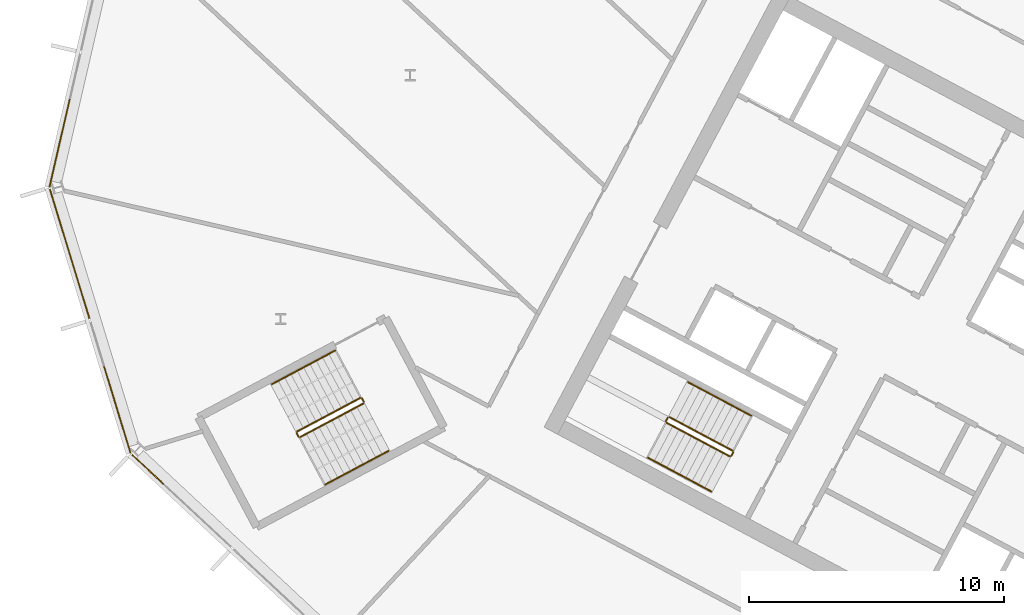
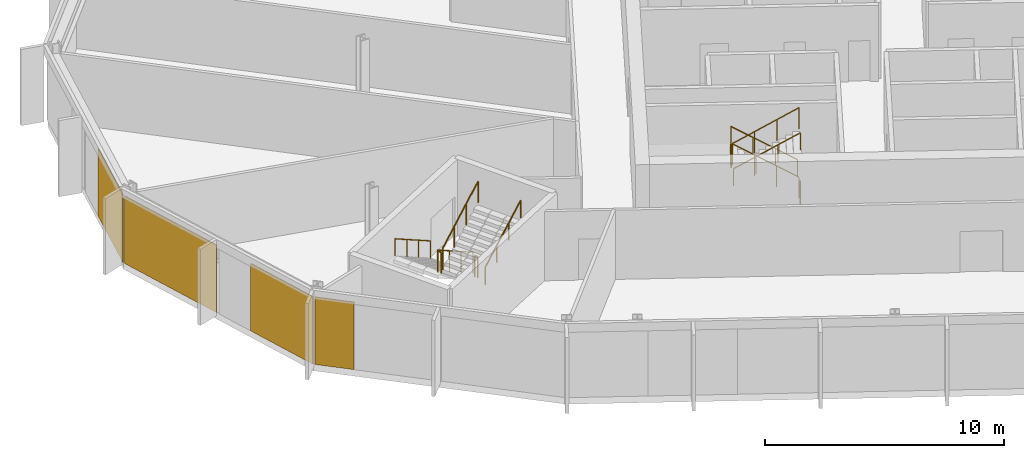
# One storey, part 20 of 26: 12 railings, 4 coverings, 3 elements without a shape of their own.
"""IFC4 building model written with IfcOpenShell, lengths in metres."""

from ifc_helpers import new_model, si_unit, direction, frame, origin, origin_2d, place, context, subcontext, project, spatial, polyline, rectangle, outline, extrude, material, layer, layer_set, type_object, element, aggregate, save


model = new_model("IFC4")

# Units and contexts
model_context = context("Model", 3, precision=1e-05, world=origin(), true_north=direction((0.0, 1.0)))
body_context = subcontext(model_context, "Body", "Model", "MODEL_VIEW")
ifc_project = project(units=[si_unit("LENGTHUNIT", "METRE"), si_unit("AREAUNIT", "SQUARE_METRE"), si_unit("VOLUMEUNIT", "CUBIC_METRE"), si_unit("PLANEANGLEUNIT", "RADIAN"), si_unit("MASSUNIT", "GRAM", prefix="KILO")], contexts=[model_context])

# Site, building, storey
site_placement = place(None, origin())
site = spatial("IfcSite", under=ifc_project, at=site_placement, CompositionType="ELEMENT")
building_placement = place(site_placement, origin())
building = spatial("IfcBuilding", under=site, at=building_placement, Name="Cormorant Relay Tower", CompositionType="ELEMENT")
storey_placement = place(building_placement, frame((0.0, 0.0, 193.5)))
storey = spatial("IfcBuildingStorey", under=building, at=storey_placement, Name="L41", CompositionType="ELEMENT", Elevation=193.5)

# Curtain wall, covering
ifc_material_1 = material(Name="Aluminium 6063-T6 anodised bronze", Category="aluminium")
ifc_layer_1 = layer(ifc_material_1, 0.199951171875)
ifc_layer_set_1 = layer_set([ifc_layer_1], Name="CW1 unitised bronze curtain wall with vertical fins")
curtain_wall_type = type_object("IfcCurtainWallType", Name="CW1 unitised bronze curtain wall with vertical fins", PredefinedType="NOTDEFINED", material=ifc_layer_set_1)
curtain_wall_1_placement = place(storey_placement, origin())
curtain_wall_1 = element("IfcCurtainWall", 1, at=curtain_wall_1_placement, inside=storey, type_object=curtain_wall_type, Name="CW1 curtain wall 13", PredefinedType="NOTDEFINED")
ifc_material_2 = material(Name="Pale bronze anodised aluminium insulated panel", Category="aluminium")
ifc_layer_2 = layer(ifc_material_2, 0.0400390625)
ifc_layer_set_2 = layer_set([ifc_layer_2], Name="CW1 pale bronze insulated panel 40")
covering_type = type_object("IfcCoveringType", Name="CW1 pale bronze insulated panel 40", PredefinedType="CLADDING", material=ifc_layer_set_2)
covering_1_placement = place(storey_placement, frame((-60.3388671875, 22.13232421875, 0.0), z_axis=(0.0, 0.0, 1.0), x_axis=(-0.224951054344, -0.974370064785, 0.0)))
covering_1 = element("IfcCovering", 2, at=covering_1_placement, type_object=covering_type, Name="CW1 panel S03", PredefinedType="CLADDING", context=body_context, shape_type="SweptSolid", body=[
    extrude(rectangle(XDim=3.560302734375, YDim=0.0400390625, at=origin_2d()), origin(), (0.0, 0.0, 1.0), 3.449951171875),
])
aggregate(curtain_wall_1, [covering_1])

# Curtain wall, coverings
curtain_wall_2_placement = place(storey_placement, origin())
curtain_wall_2 = element("IfcCurtainWall", 3, at=curtain_wall_2_placement, inside=storey, type_object=curtain_wall_type, Name="CW1 curtain wall 14", PredefinedType="NOTDEFINED")
covering_2_placement = place(storey_placement, frame((-59.9443359375, 17.78857421875, 0.0), z_axis=(0.0, 0.0, 1.0), x_axis=(0.292371704723, -0.956304755963, 0.0)))
covering_2 = element("IfcCovering", 4, at=covering_2_placement, type_object=covering_type, Name="CW1 panel S00", PredefinedType="CLADDING", context=body_context, shape_type="SweptSolid", body=[
    extrude(rectangle(XDim=5.28515625, YDim=0.0400390625, at=origin_2d()), origin(), (0.0, 0.0, 1.0), 3.449951171875),
])
covering_3_placement = place(storey_placement, frame((-58.081298828125, 11.6943359375, 0.0), z_axis=(0.0, 0.0, 1.0), x_axis=(0.292371704723, -0.956304755963, 0.0)))
covering_3 = element("IfcCovering", 5, at=covering_3_placement, type_object=covering_type, Name="CW1 panel S02", PredefinedType="CLADDING", context=body_context, shape_type="SweptSolid", body=[
    extrude(rectangle(XDim=3.560302734375, YDim=0.0400390625, at=origin_2d()), origin(), (0.0, 0.0, 1.0), 3.449951171875),
])
aggregate(curtain_wall_2, [covering_2, covering_3])

# Curtain wall, covering
curtain_wall_3_placement = place(storey_placement, origin())
curtain_wall_3 = element("IfcCurtainWall", 6, at=curtain_wall_3_placement, inside=storey, type_object=curtain_wall_type, Name="CW1 curtain wall 15", PredefinedType="NOTDEFINED")
covering_4_placement = place(storey_placement, frame((-56.88427734375, 9.357421875, 0.0), z_axis=(0.0, 0.0, 1.0), x_axis=(0.731353701619, -0.681998360062, 0.0)))
covering_4 = element("IfcCovering", 7, at=covering_4_placement, type_object=covering_type, Name="CW1 panel S00", PredefinedType="CLADDING", context=body_context, shape_type="SweptSolid", body=[
    extrude(rectangle(XDim=1.685302734375, YDim=0.0400390625, at=origin_2d()), origin(), (0.0, 0.0, 1.0), 3.449951171875),
])
aggregate(curtain_wall_3, [covering_4])

# Railings
ifc_material_3 = material(Name="Steel ASTM A572 Grade 50 (Fy 345 MPa)", Category="steel")
railing_type_1 = type_object("IfcRailingType", Name="Stair guard 1100", PredefinedType="GUARDRAIL", material=ifc_material_3)
railing_1_placement = place(storey_placement, frame((-33.9921875, 10.08935546875, 0.17724609375)))
element("IfcRailing", 8, at=railing_1_placement, inside=storey, type_object=railing_type_1, Name="L41 A2 stair guard 1", PredefinedType="GUARDRAIL", context=body_context, shape_type="SweptSolid", body=[
    extrude(outline(polyline([(0.022216796875, 0.00927734375), (0.00927734375, 0.022216796875), (-0.00927734375, 0.022216796875), (-0.022216796875, 0.00927734375), (-0.022216796875, -0.00927734375), (-0.00927734375, -0.022216796875), (0.00927734375, -0.022216796875), (0.022216796875, -0.00927734375), (0.022216796875, 0.00927734375)])), frame((0.0, 0.0, 1.076171875), z_axis=(-0.746001213114, 0.396649272309, 0.534931345884), x_axis=(-0.469465464807, -0.882950835185, 0.0)), (0.0, 0.0, 1.0), 3.31396484375),
    extrude(outline(polyline([(0.019287109375, 0.008056640625), (0.008056640625, 0.019287109375), (-0.008056640625, 0.019287109375), (-0.019287109375, 0.008056640625), (-0.019287109375, -0.008056640625), (-0.008056640625, -0.019287109375), (0.008056640625, -0.019287109375), (0.019287109375, -0.008056640625), (0.019287109375, 0.008056640625)])), origin(), (0.0, 0.0, 1.0), 1.052001953125),
    extrude(outline(polyline([(0.019287109375, 0.008056640625), (0.008056640625, 0.019287109375), (-0.008056640625, 0.019287109375), (-0.019287109375, 0.008056640625), (-0.019287109375, -0.008056640625), (-0.008056640625, -0.019287109375), (0.008056640625, -0.019287109375), (0.019287109375, -0.008056640625), (0.019287109375, 0.008056640625)])), frame((-0.823974609375, 0.438232421875, 0.5908203125)), (0.0, 0.0, 1.0), 1.052001953125),
    extrude(outline(polyline([(0.019287109375, 0.008056640625), (0.008056640625, 0.019287109375), (-0.008056640625, 0.019287109375), (-0.019287109375, 0.008056640625), (-0.019287109375, -0.008056640625), (-0.008056640625, -0.019287109375), (0.008056640625, -0.019287109375), (0.019287109375, -0.008056640625), (0.019287109375, 0.008056640625)])), frame((-1.648193359375, 0.876220703125, 1.181884765625)), (0.0, 0.0, 1.0), 1.052001953125),
    extrude(outline(polyline([(0.019287109375, 0.008056640625), (0.008056640625, 0.019287109375), (-0.008056640625, 0.019287109375), (-0.019287109375, 0.008056640625), (-0.019287109375, -0.008056640625), (-0.008056640625, -0.019287109375), (0.008056640625, -0.019287109375), (0.019287109375, -0.008056640625), (0.019287109375, 0.008056640625)])), frame((-2.47216796875, 1.314453125, 1.772705078125)), (0.0, 0.0, 1.0), 1.052001953125),
])
railing_2_placement = place(storey_placement, frame((-36.531982421875, 11.38330078125, 1.949951171875)))
element("IfcRailing", 9, at=railing_2_placement, inside=storey, type_object=railing_type_1, Name="L41 A2 stair guard 2", PredefinedType="GUARDRAIL", context=body_context, shape_type="SweptSolid", body=[
    extrude(outline(polyline([(0.022216796875, 0.00927734375), (0.00927734375, 0.022216796875), (-0.00927734375, 0.022216796875), (-0.022216796875, 0.00927734375), (-0.022216796875, -0.00927734375), (-0.00927734375, -0.022216796875), (0.00927734375, -0.022216796875), (0.022216796875, -0.00927734375), (0.022216796875, 0.00927734375)])), frame((0.0, 0.0, 1.076171875), z_axis=(-0.469828648786, -0.882757634224, 0.0), x_axis=(0.882757634224, -0.469828648786, 0.0)), (0.0, 0.0, 1.0), 0.150146484375),
    extrude(outline(polyline([(0.019287109375, 0.008056640625), (0.008056640625, 0.019287109375), (-0.008056640625, 0.019287109375), (-0.019287109375, 0.008056640625), (-0.019287109375, -0.008056640625), (-0.008056640625, -0.019287109375), (0.008056640625, -0.019287109375), (0.019287109375, -0.008056640625), (0.019287109375, 0.008056640625)])), origin(), (0.0, 0.0, 1.0), 1.052001953125),
    extrude(outline(polyline([(0.019287109375, 0.008056640625), (0.008056640625, 0.019287109375), (-0.008056640625, 0.019287109375), (-0.019287109375, 0.008056640625), (-0.019287109375, -0.008056640625), (-0.008056640625, -0.019287109375), (0.008056640625, -0.019287109375), (0.019287109375, -0.008056640625), (0.019287109375, 0.008056640625)])), frame((-0.070556640625, -0.132568359375, 0.0)), (0.0, 0.0, 1.0), 1.052001953125),
])
railing_3_placement = place(storey_placement, frame((-36.581787109375, 11.18310546875, 2.127197265625)))
element("IfcRailing", 10, at=railing_3_placement, inside=storey, type_object=railing_type_1, Name="L41 A2 stair guard 3", PredefinedType="GUARDRAIL", context=body_context, shape_type="SweptSolid", body=[
    extrude(outline(polyline([(0.022216796875, 0.00927734375), (0.00927734375, 0.022216796875), (-0.00927734375, 0.022216796875), (-0.022216796875, 0.00927734375), (-0.022216796875, -0.00927734375), (-0.00927734375, -0.022216796875), (0.00927734375, -0.022216796875), (0.022216796875, -0.00927734375), (0.022216796875, 0.00927734375)])), frame((0.0, 0.0, 1.076171875), z_axis=(0.746001213114, -0.396649272309, 0.534931345884), x_axis=(0.469465464807, 0.882950835185, 0.0)), (0.0, 0.0, 1.0), 3.31396484375),
    extrude(outline(polyline([(0.019287109375, 0.008056640625), (0.008056640625, 0.019287109375), (-0.008056640625, 0.019287109375), (-0.019287109375, 0.008056640625), (-0.019287109375, -0.008056640625), (-0.008056640625, -0.019287109375), (0.008056640625, -0.019287109375), (0.019287109375, -0.008056640625), (0.019287109375, 0.008056640625)])), origin(), (0.0, 0.0, 1.0), 1.052001953125),
    extrude(outline(polyline([(0.019287109375, 0.008056640625), (0.008056640625, 0.019287109375), (-0.008056640625, 0.019287109375), (-0.019287109375, 0.008056640625), (-0.019287109375, -0.008056640625), (-0.008056640625, -0.019287109375), (0.008056640625, -0.019287109375), (0.019287109375, -0.008056640625), (0.019287109375, 0.008056640625)])), frame((0.823974609375, -0.438232421875, 0.5908203125)), (0.0, 0.0, 1.0), 1.052001953125),
    extrude(outline(polyline([(0.019287109375, 0.008056640625), (0.008056640625, 0.019287109375), (-0.008056640625, 0.019287109375), (-0.019287109375, 0.008056640625), (-0.019287109375, -0.008056640625), (-0.008056640625, -0.019287109375), (0.008056640625, -0.019287109375), (0.019287109375, -0.008056640625), (0.019287109375, 0.008056640625)])), frame((1.648193359375, -0.876220703125, 1.181884765625)), (0.0, 0.0, 1.0), 1.052001953125),
    extrude(outline(polyline([(0.019287109375, 0.008056640625), (0.008056640625, 0.019287109375), (-0.008056640625, 0.019287109375), (-0.019287109375, 0.008056640625), (-0.019287109375, -0.008056640625), (-0.008056640625, -0.019287109375), (0.008056640625, -0.019287109375), (0.019287109375, -0.008056640625), (0.019287109375, 0.008056640625)])), frame((2.47216796875, -1.314453125, 1.772705078125)), (0.0, 0.0, 1.0), 1.052001953125),
])
railing_4_placement = place(storey_placement, frame((-33.971435546875, 10.021728515625, 0.0)))
element("IfcRailing", 11, at=railing_4_placement, inside=storey, type_object=railing_type_1, Name="L41 A2 stair guard 4", PredefinedType="GUARDRAIL", context=body_context, shape_type="SweptSolid", body=[
    extrude(outline(polyline([(0.022216796875, 0.00927734375), (0.00927734375, 0.022216796875), (-0.00927734375, 0.022216796875), (-0.022216796875, 0.00927734375), (-0.022216796875, -0.00927734375), (-0.00927734375, -0.022216796875), (0.00927734375, -0.022216796875), (0.022216796875, -0.00927734375), (0.022216796875, 0.00927734375)])), frame((0.0, 0.0, 1.076171875), z_axis=(-0.470503732759, -0.882398003998, 0.0), x_axis=(0.882398003998, -0.470503732759, 0.0)), (0.0, 0.0, 1.0), 0.14990234375),
    extrude(outline(polyline([(0.019287109375, 0.008056640625), (0.008056640625, 0.019287109375), (-0.008056640625, 0.019287109375), (-0.019287109375, 0.008056640625), (-0.019287109375, -0.008056640625), (-0.008056640625, -0.019287109375), (0.008056640625, -0.019287109375), (0.019287109375, -0.008056640625), (0.019287109375, 0.008056640625)])), origin(), (0.0, 0.0, 1.0), 1.052001953125),
    extrude(outline(polyline([(0.019287109375, 0.008056640625), (0.008056640625, 0.019287109375), (-0.008056640625, 0.019287109375), (-0.019287109375, 0.008056640625), (-0.019287109375, -0.008056640625), (-0.008056640625, -0.019287109375), (0.008056640625, -0.019287109375), (0.019287109375, -0.008056640625), (0.019287109375, 0.008056640625)])), frame((-0.070556640625, -0.13232421875, 0.0)), (0.0, 0.0, 1.0), 1.052001953125),
])
railing_5_placement = place(storey_placement, frame((-48.5693359375, 12.155517578125, 0.17724609375)))
element("IfcRailing", 12, at=railing_5_placement, inside=storey, type_object=railing_type_1, Name="L41 RP1 stair guard 1", PredefinedType="GUARDRAIL", context=body_context, shape_type="SweptSolid", body=[
    extrude(outline(polyline([(0.022216796875, 0.00927734375), (0.00927734375, 0.022216796875), (-0.00927734375, 0.022216796875), (-0.022216796875, 0.00927734375), (-0.022216796875, -0.00927734375), (-0.00927734375, -0.022216796875), (0.00927734375, -0.022216796875), (0.022216796875, -0.00927734375), (0.022216796875, 0.00927734375)])), frame((0.0, 0.0, 1.076171875), z_axis=(-0.746012083385, -0.396689549623, 0.534886317514), x_axis=(0.469497295046, -0.882933910293, 0.0)), (0.0, 0.0, 1.0), 3.314208984375),
    extrude(outline(polyline([(0.019287109375, 0.008056640625), (0.008056640625, 0.019287109375), (-0.008056640625, 0.019287109375), (-0.019287109375, 0.008056640625), (-0.019287109375, -0.008056640625), (-0.008056640625, -0.019287109375), (0.008056640625, -0.019287109375), (0.019287109375, -0.008056640625), (0.019287109375, 0.008056640625)])), origin(), (0.0, 0.0, 1.0), 1.052001953125),
    extrude(outline(polyline([(0.019287109375, 0.008056640625), (0.008056640625, 0.019287109375), (-0.008056640625, 0.019287109375), (-0.019287109375, 0.008056640625), (-0.019287109375, -0.008056640625), (-0.008056640625, -0.019287109375), (0.008056640625, -0.019287109375), (0.019287109375, -0.008056640625), (0.019287109375, 0.008056640625)])), frame((-0.82421875, -0.438232421875, 0.5908203125)), (0.0, 0.0, 1.0), 1.052001953125),
    extrude(outline(polyline([(0.019287109375, 0.008056640625), (0.008056640625, 0.019287109375), (-0.008056640625, 0.019287109375), (-0.019287109375, 0.008056640625), (-0.019287109375, -0.008056640625), (-0.008056640625, -0.019287109375), (0.008056640625, -0.019287109375), (0.019287109375, -0.008056640625), (0.019287109375, 0.008056640625)])), frame((-1.648193359375, -0.87646484375, 1.181884765625)), (0.0, 0.0, 1.0), 1.052001953125),
    extrude(outline(polyline([(0.019287109375, 0.008056640625), (0.008056640625, 0.019287109375), (-0.008056640625, 0.019287109375), (-0.019287109375, 0.008056640625), (-0.019287109375, -0.008056640625), (-0.008056640625, -0.019287109375), (0.008056640625, -0.019287109375), (0.019287109375, -0.008056640625), (0.019287109375, 0.008056640625)])), frame((-2.472412109375, -1.314697265625, 1.772705078125)), (0.0, 0.0, 1.0), 1.052001953125),
])
railing_6_placement = place(storey_placement, frame((-51.062255859375, 10.773193359375, 1.949951171875)))
element("IfcRailing", 13, at=railing_6_placement, inside=storey, type_object=railing_type_1, Name="L41 RP1 stair guard 2", PredefinedType="GUARDRAIL", context=body_context, shape_type="SweptSolid", body=[
    extrude(outline(polyline([(0.022216796875, 0.00927734375), (0.00927734375, 0.022216796875), (-0.00927734375, 0.022216796875), (-0.022216796875, 0.00927734375), (-0.022216796875, -0.00927734375), (-0.00927734375, -0.022216796875), (0.00927734375, -0.022216796875), (0.022216796875, -0.00927734375), (0.022216796875, 0.00927734375)])), frame((0.0, 0.0, 1.076171875), z_axis=(0.469234640946, -0.883073525669, 0.0), x_axis=(0.883073525669, 0.469234640946, 0.0)), (0.0, 0.0, 1.0), 0.14990234375),
    extrude(outline(polyline([(0.019287109375, 0.008056640625), (0.008056640625, 0.019287109375), (-0.008056640625, 0.019287109375), (-0.019287109375, 0.008056640625), (-0.019287109375, -0.008056640625), (-0.008056640625, -0.019287109375), (0.008056640625, -0.019287109375), (0.019287109375, -0.008056640625), (0.019287109375, 0.008056640625)])), origin(), (0.0, 0.0, 1.0), 1.052001953125),
    extrude(outline(polyline([(0.019287109375, 0.008056640625), (0.008056640625, 0.019287109375), (-0.008056640625, 0.019287109375), (-0.019287109375, 0.008056640625), (-0.019287109375, -0.008056640625), (-0.008056640625, -0.019287109375), (0.008056640625, -0.019287109375), (0.019287109375, -0.008056640625), (0.019287109375, 0.008056640625)])), frame((0.0703125, -0.13232421875, 0.0)), (0.0, 0.0, 1.0), 1.052001953125),
])
railing_7_placement = place(storey_placement, frame((-50.92431640625, 10.6201171875, 2.127197265625)))
element("IfcRailing", 14, at=railing_7_placement, inside=storey, type_object=railing_type_1, Name="L41 RP1 stair guard 3", PredefinedType="GUARDRAIL", context=body_context, shape_type="SweptSolid", body=[
    extrude(outline(polyline([(0.022216796875, 0.00927734375), (0.00927734375, 0.022216796875), (-0.00927734375, 0.022216796875), (-0.022216796875, 0.00927734375), (-0.022216796875, -0.00927734375), (-0.00927734375, -0.022216796875), (0.00927734375, -0.022216796875), (0.022216796875, -0.00927734375), (0.022216796875, 0.00927734375)])), frame((0.0, 0.0, 1.076171875), z_axis=(0.746033882577, 0.396627473466, 0.534901947407), x_axis=(-0.469429322983, 0.882970050864, 0.0)), (0.0, 0.0, 1.0), 3.31396484375),
    extrude(outline(polyline([(0.019287109375, 0.008056640625), (0.008056640625, 0.019287109375), (-0.008056640625, 0.019287109375), (-0.019287109375, 0.008056640625), (-0.019287109375, -0.008056640625), (-0.008056640625, -0.019287109375), (0.008056640625, -0.019287109375), (0.019287109375, -0.008056640625), (0.019287109375, 0.008056640625)])), origin(), (0.0, 0.0, 1.0), 1.052001953125),
    extrude(outline(polyline([(0.019287109375, 0.008056640625), (0.008056640625, 0.019287109375), (-0.008056640625, 0.019287109375), (-0.019287109375, 0.008056640625), (-0.019287109375, -0.008056640625), (-0.008056640625, -0.019287109375), (0.008056640625, -0.019287109375), (0.019287109375, -0.008056640625), (0.019287109375, 0.008056640625)])), frame((0.82421875, 0.438232421875, 0.5908203125)), (0.0, 0.0, 1.0), 1.052001953125),
    extrude(outline(polyline([(0.019287109375, 0.008056640625), (0.008056640625, 0.019287109375), (-0.008056640625, 0.019287109375), (-0.019287109375, 0.008056640625), (-0.019287109375, -0.008056640625), (-0.008056640625, -0.019287109375), (0.008056640625, -0.019287109375), (0.019287109375, -0.008056640625), (0.019287109375, 0.008056640625)])), frame((1.648193359375, 0.876220703125, 1.181884765625)), (0.0, 0.0, 1.0), 1.052001953125),
    extrude(outline(polyline([(0.019287109375, 0.008056640625), (0.008056640625, 0.019287109375), (-0.008056640625, 0.019287109375), (-0.019287109375, 0.008056640625), (-0.019287109375, -0.008056640625), (-0.008056640625, -0.019287109375), (0.008056640625, -0.019287109375), (0.019287109375, -0.008056640625), (0.019287109375, 0.008056640625)])), frame((2.472412109375, 1.314453125, 1.772705078125)), (0.0, 0.0, 1.0), 1.052001953125),
])
railing_8_placement = place(storey_placement, frame((-48.501708984375, 12.134765625, 0.0)))
element("IfcRailing", 15, at=railing_8_placement, inside=storey, type_object=railing_type_1, Name="L41 RP1 stair guard 4", PredefinedType="GUARDRAIL", context=body_context, shape_type="SweptSolid", body=[
    extrude(outline(polyline([(0.022216796875, 0.00927734375), (0.00927734375, 0.022216796875), (-0.00927734375, 0.022216796875), (-0.022216796875, 0.00927734375), (-0.022216796875, -0.00927734375), (-0.00927734375, -0.022216796875), (0.00927734375, -0.022216796875), (0.022216796875, -0.00927734375), (0.022216796875, 0.00927734375)])), frame((0.0, 0.0, 1.076171875), z_axis=(0.46856034887, -0.8834314911, 0.0), x_axis=(0.8834314911, 0.46856034887, 0.0)), (0.0, 0.0, 1.0), 0.150146484375),
    extrude(outline(polyline([(0.019287109375, 0.008056640625), (0.008056640625, 0.019287109375), (-0.008056640625, 0.019287109375), (-0.019287109375, 0.008056640625), (-0.019287109375, -0.008056640625), (-0.008056640625, -0.019287109375), (0.008056640625, -0.019287109375), (0.019287109375, -0.008056640625), (0.019287109375, 0.008056640625)])), origin(), (0.0, 0.0, 1.0), 1.052001953125),
    extrude(outline(polyline([(0.019287109375, 0.008056640625), (0.008056640625, 0.019287109375), (-0.008056640625, 0.019287109375), (-0.019287109375, 0.008056640625), (-0.019287109375, -0.008056640625), (-0.008056640625, -0.019287109375), (0.008056640625, -0.019287109375), (0.019287109375, -0.008056640625), (0.019287109375, 0.008056640625)])), frame((0.0703125, -0.132568359375, 0.0)), (0.0, 0.0, 1.0), 1.052001953125),
])
ifc_material_4 = material(Name="Steel ASTM A572 Grade 50 (Fy 345 MPa)", Category="steel")
railing_type_2 = type_object("IfcRailingType", Name="Stair handrail 900", PredefinedType="HANDRAIL", material=ifc_material_4)
railing_9_placement = place(storey_placement, frame((-33.264404296875, 11.4580078125, 0.17724609375)))
element("IfcRailing", 16, at=railing_9_placement, inside=storey, type_object=railing_type_2, Name="L41 A2 stair handrail 1", PredefinedType="HANDRAIL", context=body_context, shape_type="SweptSolid", body=[
    extrude(outline(polyline([(0.022216796875, 0.00927734375), (0.00927734375, 0.022216796875), (-0.00927734375, 0.022216796875), (-0.022216796875, 0.00927734375), (-0.022216796875, -0.00927734375), (-0.00927734375, -0.022216796875), (0.00927734375, -0.022216796875), (0.022216796875, -0.00927734375), (0.022216796875, 0.00927734375)])), frame((0.0, 0.0, 0.8759765625), z_axis=(-0.746033882577, 0.396627473466, 0.534901947407), x_axis=(-0.469429322983, -0.882970050864, 0.0)), (0.0, 0.0, 1.0), 3.31396484375),
    extrude(outline(polyline([(0.019287109375, 0.008056640625), (0.008056640625, 0.019287109375), (-0.008056640625, 0.019287109375), (-0.019287109375, 0.008056640625), (-0.019287109375, -0.008056640625), (-0.008056640625, -0.019287109375), (0.008056640625, -0.019287109375), (0.019287109375, -0.008056640625), (0.019287109375, 0.008056640625)])), origin(), (0.0, 0.0, 1.0), 0.851806640625),
    extrude(outline(polyline([(0.019287109375, 0.008056640625), (0.008056640625, 0.019287109375), (-0.008056640625, 0.019287109375), (-0.019287109375, 0.008056640625), (-0.019287109375, -0.008056640625), (-0.008056640625, -0.019287109375), (0.008056640625, -0.019287109375), (0.019287109375, -0.008056640625), (0.019287109375, 0.008056640625)])), frame((-0.82421875, 0.438232421875, 0.5908203125)), (0.0, 0.0, 1.0), 0.851806640625),
    extrude(outline(polyline([(0.019287109375, 0.008056640625), (0.008056640625, 0.019287109375), (-0.008056640625, 0.019287109375), (-0.019287109375, 0.008056640625), (-0.019287109375, -0.008056640625), (-0.008056640625, -0.019287109375), (0.008056640625, -0.019287109375), (0.019287109375, -0.008056640625), (0.019287109375, 0.008056640625)])), frame((-1.648193359375, 0.876220703125, 1.181884765625)), (0.0, 0.0, 1.0), 0.851806640625),
    extrude(outline(polyline([(0.019287109375, 0.008056640625), (0.008056640625, 0.019287109375), (-0.008056640625, 0.019287109375), (-0.019287109375, 0.008056640625), (-0.019287109375, -0.008056640625), (-0.008056640625, -0.019287109375), (0.008056640625, -0.019287109375), (0.019287109375, -0.008056640625), (0.019287109375, 0.008056640625)])), frame((-2.472412109375, 1.314453125, 1.772705078125)), (0.0, 0.0, 1.0), 0.851806640625),
])
railing_10_placement = place(storey_placement, frame((-37.3095703125, 9.814453125, 2.127197265625)))
element("IfcRailing", 17, at=railing_10_placement, inside=storey, type_object=railing_type_2, Name="L41 A2 stair handrail 2", PredefinedType="HANDRAIL", context=body_context, shape_type="SweptSolid", body=[
    extrude(outline(polyline([(0.022216796875, 0.00927734375), (0.00927734375, 0.022216796875), (-0.00927734375, 0.022216796875), (-0.022216796875, 0.00927734375), (-0.022216796875, -0.00927734375), (-0.00927734375, -0.022216796875), (0.00927734375, -0.022216796875), (0.022216796875, -0.00927734375), (0.022216796875, 0.00927734375)])), frame((0.0, 0.0, 0.8759765625), z_axis=(0.746033882577, -0.396627473466, 0.534901947407), x_axis=(0.469429322983, 0.882970050864, 0.0)), (0.0, 0.0, 1.0), 3.31396484375),
    extrude(outline(polyline([(0.019287109375, 0.008056640625), (0.008056640625, 0.019287109375), (-0.008056640625, 0.019287109375), (-0.019287109375, 0.008056640625), (-0.019287109375, -0.008056640625), (-0.008056640625, -0.019287109375), (0.008056640625, -0.019287109375), (0.019287109375, -0.008056640625), (0.019287109375, 0.008056640625)])), origin(), (0.0, 0.0, 1.0), 0.851806640625),
    extrude(outline(polyline([(0.019287109375, 0.008056640625), (0.008056640625, 0.019287109375), (-0.008056640625, 0.019287109375), (-0.019287109375, 0.008056640625), (-0.019287109375, -0.008056640625), (-0.008056640625, -0.019287109375), (0.008056640625, -0.019287109375), (0.019287109375, -0.008056640625), (0.019287109375, 0.008056640625)])), frame((0.82421875, -0.438232421875, 0.5908203125)), (0.0, 0.0, 1.0), 0.851806640625),
    extrude(outline(polyline([(0.019287109375, 0.008056640625), (0.008056640625, 0.019287109375), (-0.008056640625, 0.019287109375), (-0.019287109375, 0.008056640625), (-0.019287109375, -0.008056640625), (-0.008056640625, -0.019287109375), (0.008056640625, -0.019287109375), (0.019287109375, -0.008056640625), (0.019287109375, 0.008056640625)])), frame((1.648193359375, -0.876220703125, 1.181884765625)), (0.0, 0.0, 1.0), 0.851806640625),
    extrude(outline(polyline([(0.019287109375, 0.008056640625), (0.008056640625, 0.019287109375), (-0.008056640625, 0.019287109375), (-0.019287109375, 0.008056640625), (-0.019287109375, -0.008056640625), (-0.008056640625, -0.019287109375), (0.008056640625, -0.019287109375), (0.019287109375, -0.008056640625), (0.019287109375, 0.008056640625)])), frame((2.472412109375, -1.314453125, 1.772705078125)), (0.0, 0.0, 1.0), 0.851806640625),
])
railing_11_placement = place(storey_placement, frame((-49.55517578125, 14.009521484375, 0.17724609375)))
element("IfcRailing", 18, at=railing_11_placement, inside=storey, type_object=railing_type_2, Name="L41 RP1 stair handrail 1", PredefinedType="HANDRAIL", context=body_context, shape_type="SweptSolid", body=[
    extrude(outline(polyline([(0.022216796875, 0.00927734375), (0.00927734375, 0.022216796875), (-0.00927734375, 0.022216796875), (-0.022216796875, 0.00927734375), (-0.022216796875, -0.00927734375), (-0.00927734375, -0.022216796875), (0.00927734375, -0.022216796875), (0.022216796875, -0.00927734375), (0.022216796875, 0.00927734375)])), frame((0.0, 0.0, 0.8759765625), z_axis=(-0.746033882577, -0.396627473466, 0.534901947407), x_axis=(0.469429322983, -0.882970050864, 0.0)), (0.0, 0.0, 1.0), 3.31396484375),
    extrude(outline(polyline([(0.019287109375, 0.008056640625), (0.008056640625, 0.019287109375), (-0.008056640625, 0.019287109375), (-0.019287109375, 0.008056640625), (-0.019287109375, -0.008056640625), (-0.008056640625, -0.019287109375), (0.008056640625, -0.019287109375), (0.019287109375, -0.008056640625), (0.019287109375, 0.008056640625)])), origin(), (0.0, 0.0, 1.0), 0.851806640625),
    extrude(outline(polyline([(0.019287109375, 0.008056640625), (0.008056640625, 0.019287109375), (-0.008056640625, 0.019287109375), (-0.019287109375, 0.008056640625), (-0.019287109375, -0.008056640625), (-0.008056640625, -0.019287109375), (0.008056640625, -0.019287109375), (0.019287109375, -0.008056640625), (0.019287109375, 0.008056640625)])), frame((-0.82421875, -0.438232421875, 0.5908203125)), (0.0, 0.0, 1.0), 0.851806640625),
    extrude(outline(polyline([(0.019287109375, 0.008056640625), (0.008056640625, 0.019287109375), (-0.008056640625, 0.019287109375), (-0.019287109375, 0.008056640625), (-0.019287109375, -0.008056640625), (-0.008056640625, -0.019287109375), (0.008056640625, -0.019287109375), (0.019287109375, -0.008056640625), (0.019287109375, 0.008056640625)])), frame((-1.648193359375, -0.876220703125, 1.181884765625)), (0.0, 0.0, 1.0), 0.851806640625),
    extrude(outline(polyline([(0.019287109375, 0.008056640625), (0.008056640625, 0.019287109375), (-0.008056640625, 0.019287109375), (-0.019287109375, 0.008056640625), (-0.019287109375, -0.008056640625), (-0.008056640625, -0.019287109375), (0.008056640625, -0.019287109375), (0.019287109375, -0.008056640625), (0.019287109375, 0.008056640625)])), frame((-2.472412109375, -1.314453125, 1.772705078125)), (0.0, 0.0, 1.0), 0.851806640625),
])
railing_12_placement = place(storey_placement, frame((-49.9384765625, 8.765869140625, 2.127197265625)))
element("IfcRailing", 19, at=railing_12_placement, inside=storey, type_object=railing_type_2, Name="L41 RP1 stair handrail 2", PredefinedType="HANDRAIL", context=body_context, shape_type="SweptSolid", body=[
    extrude(outline(polyline([(0.022216796875, 0.00927734375), (0.00927734375, 0.022216796875), (-0.00927734375, 0.022216796875), (-0.022216796875, 0.00927734375), (-0.022216796875, -0.00927734375), (-0.00927734375, -0.022216796875), (0.00927734375, -0.022216796875), (0.022216796875, -0.00927734375), (0.022216796875, 0.00927734375)])), frame((0.0, 0.0, 0.8759765625), z_axis=(0.746012083385, 0.396689549623, 0.534886317514), x_axis=(-0.469497295046, 0.882933910293, 0.0)), (0.0, 0.0, 1.0), 3.314208984375),
    extrude(outline(polyline([(0.019287109375, 0.008056640625), (0.008056640625, 0.019287109375), (-0.008056640625, 0.019287109375), (-0.019287109375, 0.008056640625), (-0.019287109375, -0.008056640625), (-0.008056640625, -0.019287109375), (0.008056640625, -0.019287109375), (0.019287109375, -0.008056640625), (0.019287109375, 0.008056640625)])), origin(), (0.0, 0.0, 1.0), 0.851806640625),
    extrude(outline(polyline([(0.019287109375, 0.008056640625), (0.008056640625, 0.019287109375), (-0.008056640625, 0.019287109375), (-0.019287109375, 0.008056640625), (-0.019287109375, -0.008056640625), (-0.008056640625, -0.019287109375), (0.008056640625, -0.019287109375), (0.019287109375, -0.008056640625), (0.019287109375, 0.008056640625)])), frame((0.82421875, 0.438232421875, 0.5908203125)), (0.0, 0.0, 1.0), 0.851806640625),
    extrude(outline(polyline([(0.019287109375, 0.008056640625), (0.008056640625, 0.019287109375), (-0.008056640625, 0.019287109375), (-0.019287109375, 0.008056640625), (-0.019287109375, -0.008056640625), (-0.008056640625, -0.019287109375), (0.008056640625, -0.019287109375), (0.019287109375, -0.008056640625), (0.019287109375, 0.008056640625)])), frame((1.648193359375, 0.87646484375, 1.181884765625)), (0.0, 0.0, 1.0), 0.851806640625),
    extrude(outline(polyline([(0.019287109375, 0.008056640625), (0.008056640625, 0.019287109375), (-0.008056640625, 0.019287109375), (-0.019287109375, 0.008056640625), (-0.019287109375, -0.008056640625), (-0.008056640625, -0.019287109375), (0.008056640625, -0.019287109375), (0.019287109375, -0.008056640625), (0.019287109375, 0.008056640625)])), frame((2.472412109375, 1.314697265625, 1.772705078125)), (0.0, 0.0, 1.0), 0.851806640625),
])

save(model, "model.ifc")
